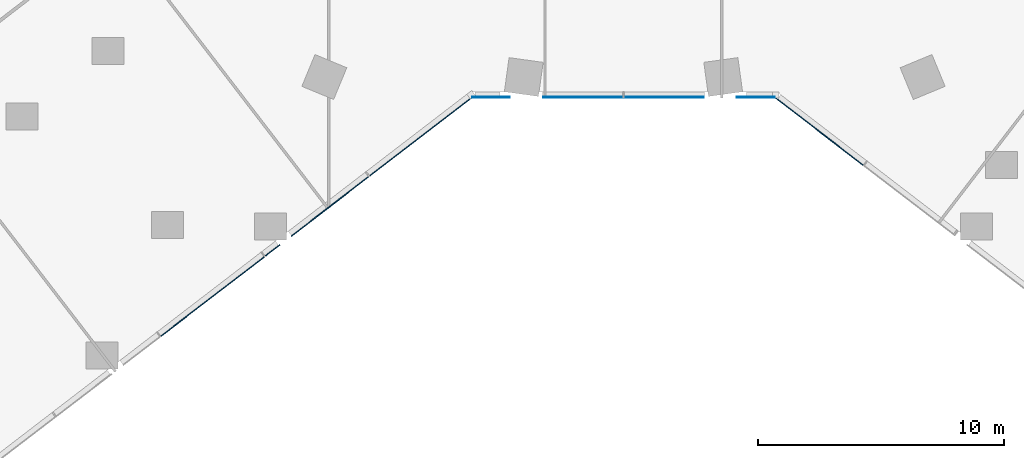
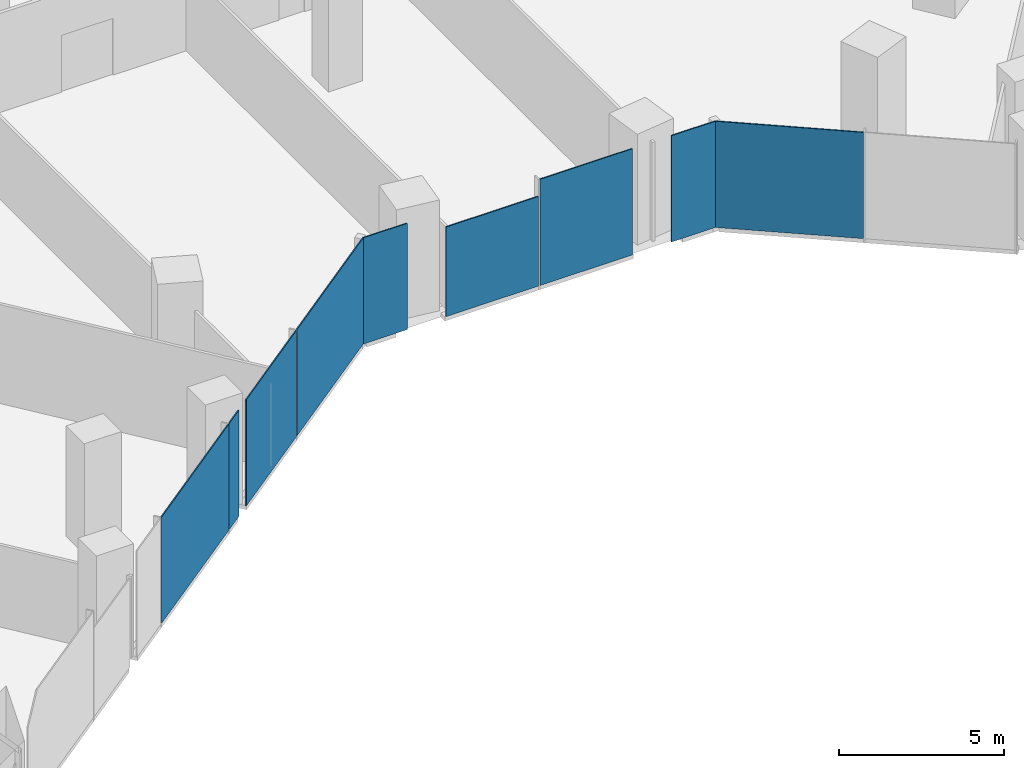
# One storey, part 15 of 29: 9 plates, 3 elements without a shape of their own.
"""IFC4 building model written with IfcOpenShell, lengths in metres."""

import ifcopenshell
import ifcopenshell.guid

model = None  # the IFC model being written
_history = None  # IfcOwnerHistory: only IFC2X3 demands one
_inside = {}  # id of a spatial element -> (the spatial element, [elements in it])
_under = {}  # id of a project, library or spatial element -> (it, [spatial elements below it])
_declared = {}  # id of a project -> (the project, [libraries it declares])
_typed = {}  # id of a type object -> (the type object, [elements of that type])
_made_of = {}  # id of a material, layer set ... -> (it, [elements and type objects made of it])


def new_model(schema):
    """Start an empty IFC model of exactly this schema.

    Asked for "IFC4X3", IfcOpenShell would pick the latest addendum, in which some entities
    have other attributes; the version numbers below select the first issue.
    IFC2X3 requires an IfcOwnerHistory on every rooted entity: one is made here for all.
    """
    global model, _history
    if schema == "IFC4X3":
        model = ifcopenshell.file(schema_version=(4, 3, 0, 0))
    else:
        model = ifcopenshell.file(schema=schema)
    _inside.clear()
    _under.clear()
    _declared.clear()
    _typed.clear()
    _made_of.clear()
    _history = None
    if model.schema == "IFC2X3":
        org = make("IfcOrganization", Name="unknown")
        user = make(
            "IfcPersonAndOrganization",
            ThePerson=make("IfcPerson", FamilyName="unknown"),
            TheOrganization=org,
        )
        app = make(
            "IfcApplication",
            ApplicationDeveloper=org,
            Version="unknown",
            ApplicationFullName="unknown",
            ApplicationIdentifier="unknown",
        )
        _history = make(
            "IfcOwnerHistory",
            OwningUser=user,
            OwningApplication=app,
            ChangeAction="ADDED",
            CreationDate=0,
        )
    return model


def make(cls, **values):
    """One entity of the class cls with the attributes given. An attribute that is None is left unset."""
    return model.create_entity(
        cls, **{name: value for name, value in values.items() if value is not None}
    )


def rooted(cls, **values):
    """An entity with a GlobalId (a new one), such as an element, a storey or a relation."""
    return make(cls, GlobalId=ifcopenshell.guid.new(), OwnerHistory=_history, **values)


def si_unit(unit_type, name, prefix=None):
    """IfcSIUnit, for example si_unit("LENGTHUNIT", "METRE", prefix="MILLI")."""
    return make("IfcSIUnit", UnitType=unit_type, Prefix=prefix, Name=name)


def assignment(units):
    """IfcUnitAssignment: the units of a project."""
    return None if units is None else make("IfcUnitAssignment", Units=units)


def point(xyz):
    """IfcCartesianPoint."""
    return None if xyz is None else make("IfcCartesianPoint", Coordinates=xyz)


def direction(xyz):
    """IfcDirection."""
    return None if xyz is None else make("IfcDirection", DirectionRatios=xyz)


def frame(location, z_axis=None, x_axis=None):
    """IfcAxis2Placement3D, a coordinate frame: its origin and axes. An axis left out is left unset."""
    return make(
        "IfcAxis2Placement3D",
        Location=point(location),
        Axis=direction(z_axis),
        RefDirection=direction(x_axis),
    )


def frame_2d(location, x_axis=None):
    """IfcAxis2Placement2D, a coordinate frame in the plane: its origin and x axis."""
    return make(
        "IfcAxis2Placement2D", Location=point(location), RefDirection=direction(x_axis)
    )


def origin():
    """The frame at (0, 0, 0) with its axes left unset."""
    return frame((0.0, 0.0, 0.0))


def origin_2d():
    """The frame at (0, 0) in the plane with its x axis left unset."""
    return frame_2d((0.0, 0.0))


def place(relative_to, where):
    """IfcLocalPlacement: puts the frame where relative to a parent placement (None: the world)."""
    return make(
        "IfcLocalPlacement", PlacementRelTo=relative_to, RelativePlacement=where
    )


def context(
    kind, dimensions, precision=None, world=None, true_north=None, identifier=None
):
    """IfcGeometricRepresentationContext, for example the 3D "Model" context."""
    return make(
        "IfcGeometricRepresentationContext",
        ContextIdentifier=identifier,
        ContextType=kind,
        CoordinateSpaceDimension=dimensions,
        Precision=precision,
        WorldCoordinateSystem=world,
        TrueNorth=true_north,
    )


def subcontext(parent, identifier, kind, view, scale=None):
    """IfcGeometricRepresentationSubContext, for example "Body" below "Model"."""
    return make(
        "IfcGeometricRepresentationSubContext",
        ContextIdentifier=identifier,
        ContextType=kind,
        ParentContext=parent,
        TargetScale=scale,
        TargetView=view,
    )


def project(units=None, contexts=None):
    """IfcProject with its units and contexts."""
    return rooted(
        "IfcProject",
        Name="project",
        RepresentationContexts=contexts,
        UnitsInContext=assignment(units),
    )


def spatial(cls, under=None, at=None, **own):
    """A site, building, storey or space (cls), placed at a placement, below another one or the project."""
    s = rooted(cls, ObjectPlacement=at, **own)
    if under is not None:
        _under.setdefault(under.id(), (under, []))[1].append(s)
    return s


def profile(cls, at=None, kind="AREA", **sizes):
    """A parametric profile (cls). Its sizes go by their IFC names, for example OverallWidth=200.0."""
    return make(cls, ProfileType=kind, Position=at, **sizes)


def rectangle(**sizes):
    """IfcRectangleProfileDef."""
    return profile("IfcRectangleProfileDef", **sizes)


def extrude(swept, where, along, depth):
    """IfcExtrudedAreaSolid: the profile swept, set in the frame where, extruded along a direction by depth."""
    return make(
        "IfcExtrudedAreaSolid",
        SweptArea=swept,
        Position=where,
        ExtrudedDirection=direction(along),
        Depth=depth,
    )


def shape(context_of_items, identifier, shape_type, items):
    """IfcShapeRepresentation: the items that make up one representation, for example the "Body"."""
    return make(
        "IfcShapeRepresentation",
        ContextOfItems=context_of_items,
        RepresentationIdentifier=identifier,
        RepresentationType=shape_type,
        Items=items,
    )


def material(Name=None, Category=None):
    """IfcMaterial."""
    return make("IfcMaterial", Name=Name, Category=Category)


def layer(
    of_material, thickness, ventilated=None, Name=None, Category=None, Priority=None
):
    """IfcMaterialLayer: one layer of a wall or slab, of a material (None: an air gap)."""
    return make(
        "IfcMaterialLayer",
        Material=of_material,
        LayerThickness=thickness,
        IsVentilated=ventilated,
        Name=Name,
        Category=Category,
        Priority=Priority,
    )


def layer_set(layers, Name=None):
    """IfcMaterialLayerSet."""
    return make("IfcMaterialLayerSet", MaterialLayers=layers, LayerSetName=Name)


def made_of(thing, what):
    """Note that an element or type object is made of a material, layer set ...; save() writes the relation."""
    if what is not None:
        _made_of.setdefault(what.id(), (what, []))[1].append(thing)
    return thing


def type_object(cls, material=None, **own):
    """A type object (cls), such as IfcWallType, which elements share."""
    return made_of(rooted(cls, **own), material)


def element(
    cls,
    number,
    at=None,
    inside=None,
    cuts=None,
    type_object=None,
    material=None,
    context=None,
    identifier="Body",
    shape_type=None,
    held_by="IfcProductDefinitionShape",
    body=None,
    shapes=None,
    **own,
):
    """One element of the class cls, such as IfcWall. Its Tag is "e" and its number.

    at: its placement. inside: the storey or other place that contains it. cuts: it is an
    opening in that element (IfcRelVoidsElement). A single representation is given by context,
    identifier, shape_type and body (its items); several are given by shapes. held_by: the class
    of the entity that holds the representations. save() writes the other relations.
    """
    e = rooted(cls, Tag="e%d" % number, ObjectPlacement=at, **own)
    if body is not None:
        shapes = [shape(context, identifier, shape_type, body)]
    if shapes is not None:
        e.Representation = make(held_by, Representations=shapes)
    if inside is not None:
        _inside.setdefault(inside.id(), (inside, []))[1].append(e)
    if cuts is not None:
        rooted(
            "IfcRelVoidsElement", RelatingBuildingElement=cuts, RelatedOpeningElement=e
        )
    if type_object is not None:
        _typed.setdefault(type_object.id(), (type_object, []))[1].append(e)
    return made_of(e, material)


def aggregate(whole, parts):
    """IfcRelAggregates: a whole, such as a stair, and the parts it consists of."""
    return rooted("IfcRelAggregates", RelatingObject=whole, RelatedObjects=parts)


def save(model, path):
    """Write the relations noted so far, then the file.

    IfcRelAggregates (storeys below a building ...), IfcRelContainedInSpatialStructure (elements
    in a storey), IfcRelDefinesByType, IfcRelAssociatesMaterial and IfcRelDeclares: one each for
    every whole, place, type object, material and project.
    """
    for whole, parts in _under.values():
        aggregate(whole, parts)
    for where, things in _inside.values():
        rooted(
            "IfcRelContainedInSpatialStructure",
            RelatedElements=things,
            RelatingStructure=where,
        )
    for kind, things in _typed.values():
        rooted("IfcRelDefinesByType", RelatedObjects=things, RelatingType=kind)
    for what, things in _made_of.values():
        rooted("IfcRelAssociatesMaterial", RelatedObjects=things, RelatingMaterial=what)
    for by, libraries in _declared.values():
        rooted("IfcRelDeclares", RelatingContext=by, RelatedDefinitions=libraries)
    model.write(path)


model = new_model("IFC4")

# Units and contexts
model_context = context("Model", 3, precision=1e-05, world=origin(), true_north=direction((0.0, 1.0)))
body_context = subcontext(model_context, "Body", "Model", "MODEL_VIEW")
ifc_project = project(units=[si_unit("LENGTHUNIT", "METRE"), si_unit("AREAUNIT", "SQUARE_METRE"), si_unit("VOLUMEUNIT", "CUBIC_METRE"), si_unit("PLANEANGLEUNIT", "RADIAN"), si_unit("MASSUNIT", "GRAM", prefix="KILO")], contexts=[model_context])

# Site, building, storey
site_placement = place(None, origin())
site = spatial("IfcSite", under=ifc_project, at=site_placement, CompositionType="ELEMENT")
building_placement = place(site_placement, origin())
building = spatial("IfcBuilding", under=site, at=building_placement, Name="Orlundy Tower", CompositionType="ELEMENT")
storey_placement = place(building_placement, frame((0.0, 0.0, 29.199951171875)))
storey = spatial("IfcBuildingStorey", under=building, at=storey_placement, Name="L05", CompositionType="ELEMENT", Elevation=29.199951171875)

# Curtain wall, plate
ifc_material_1 = material(Name="Aluminium bronze anodised", Category="aluminium")
curtain_wall_type = type_object("IfcCurtainWallType", Name="CW2 wall", PredefinedType="NOTDEFINED", material=ifc_material_1)
curtain_wall_1_placement = place(storey_placement, origin())
curtain_wall_1 = element("IfcCurtainWall", 1, at=curtain_wall_1_placement, inside=storey, type_object=curtain_wall_type, Name="CW2 run 00", PredefinedType="NOTDEFINED")
ifc_material_2 = material(Name="Tinted glass", Category="glass")
ifc_layer = layer(ifc_material_2, 0.0380859375)
ifc_layer_set = layer_set([ifc_layer], Name="CW2 glass panel 38")
plate_type = type_object("IfcPlateType", Name="CW2 glass panel 38", PredefinedType="CURTAIN_PANEL", material=ifc_layer_set)
plate_1_placement = place(storey_placement, frame((7.96044921875, -31.609130859375, -0.25), z_axis=(0.0, 0.0, 1.0), x_axis=(-0.793356622022, 0.60875715215, 0.0)))
plate_1 = element("IfcPlate", 2, at=plate_1_placement, type_object=plate_type, Name="CW2 panel", PredefinedType="CURTAIN_PANEL", context=body_context, shape_type="SweptSolid", body=[
    extrude(rectangle(XDim=4.52734375, YDim=0.0380859375, at=origin_2d()), origin(), (0.0, 0.0, 1.0), 3.929931640625),
])
aggregate(curtain_wall_1, [plate_1])

# Curtain wall, plates
curtain_wall_2_placement = place(storey_placement, origin())
curtain_wall_2 = element("IfcCurtainWall", 3, at=curtain_wall_2_placement, inside=storey, type_object=curtain_wall_type, Name="CW2 run 01", PredefinedType="NOTDEFINED")
plate_2_placement = place(storey_placement, frame((5.392578125, -30.23095703125, -0.25), z_axis=(0.0, 0.0, 1.0), x_axis=(-1.0, 0.0, 0.0)))
plate_2 = element("IfcPlate", 4, at=plate_2_placement, type_object=plate_type, Name="CW2 panel", PredefinedType="CURTAIN_PANEL", context=body_context, shape_type="SweptSolid", body=[
    extrude(rectangle(XDim=1.5439453125, YDim=0.0380859375, at=origin_2d()), origin(), (0.0, 0.0, 1.0), 3.929931640625),
])
plate_3_placement = place(storey_placement, frame((1.64501953125, -30.23095703125, -0.25), z_axis=(0.0, 0.0, 1.0), x_axis=(-1.0, 0.0, 0.0)))
plate_3 = element("IfcPlate", 5, at=plate_3_placement, type_object=plate_type, Name="CW2 panel", PredefinedType="CURTAIN_PANEL", context=body_context, shape_type="SweptSolid", body=[
    extrude(rectangle(XDim=3.240234375, YDim=0.0380859375, at=origin_2d()), origin(), (0.0, 0.0, 1.0), 3.929931640625),
])
plate_4_placement = place(storey_placement, frame((-1.64501953125, -30.23095703125, -0.25), z_axis=(0.0, 0.0, 1.0), x_axis=(-1.0, 0.0, 0.0)))
plate_4 = element("IfcPlate", 6, at=plate_4_placement, type_object=plate_type, Name="CW2 panel", PredefinedType="CURTAIN_PANEL", context=body_context, shape_type="SweptSolid", body=[
    extrude(rectangle(XDim=3.240234375, YDim=0.0380859375, at=origin_2d()), origin(), (0.0, 0.0, 1.0), 3.31396484375),
])
plate_5_placement = place(storey_placement, frame((-5.392578125, -30.23095703125, -0.25), z_axis=(0.0, 0.0, 1.0), x_axis=(-1.0, 0.0, 0.0)))
plate_5 = element("IfcPlate", 7, at=plate_5_placement, type_object=plate_type, Name="CW2 panel", PredefinedType="CURTAIN_PANEL", context=body_context, shape_type="SweptSolid", body=[
    extrude(rectangle(XDim=1.5439453125, YDim=0.0380859375, at=origin_2d()), origin(), (0.0, 0.0, 1.0), 3.929931640625),
])
aggregate(curtain_wall_2, [plate_2, plate_3, plate_4, plate_5])

curtain_wall_3_placement = place(storey_placement, origin())
curtain_wall_3 = element("IfcCurtainWall", 8, at=curtain_wall_3_placement, inside=storey, type_object=curtain_wall_type, Name="CW2 run 02", PredefinedType="NOTDEFINED")
plate_6_placement = place(storey_placement, frame((-8.24853515625, -31.830078125, -0.25), z_axis=(0.0, 0.0, 1.0), x_axis=(-0.793352099111, -0.608763046543, 0.0)))
plate_6 = element("IfcPlate", 9, at=plate_6_placement, type_object=plate_type, Name="CW2 panel", PredefinedType="CURTAIN_PANEL", context=body_context, shape_type="SweptSolid", body=[
    extrude(rectangle(XDim=5.25341796875, YDim=0.0380859375, at=origin_2d()), origin(), (0.0, 0.0, 1.0), 3.929931640625),
])
plate_7_placement = place(storey_placement, frame((-11.946533203125, -34.667724609375, -0.25), z_axis=(0.0, 0.0, 1.0), x_axis=(-0.793352099111, -0.608763046543, 0.0)))
plate_7 = element("IfcPlate", 10, at=plate_7_placement, type_object=plate_type, Name="CW2 panel", PredefinedType="CURTAIN_PANEL", context=body_context, shape_type="SweptSolid", body=[
    extrude(rectangle(XDim=3.96923828125, YDim=0.0380859375, at=origin_2d()), origin(), (0.0, 0.0, 1.0), 3.929931640625),
])
plate_8_placement = place(storey_placement, frame((-14.282470703125, -36.4599609375, -0.25), z_axis=(0.0, 0.0, 1.0), x_axis=(-0.793352099111, -0.608763046543, 0.0)))
plate_8 = element("IfcPlate", 11, at=plate_8_placement, type_object=plate_type, Name="CW2 panel", PredefinedType="CURTAIN_PANEL", context=body_context, shape_type="SweptSolid", body=[
    extrude(rectangle(XDim=0.755615234375, YDim=0.0380859375, at=origin_2d()), origin(), (0.0, 0.0, 1.0), 3.929931640625),
])
plate_9_placement = place(storey_placement, frame((-16.726806640625, -38.335693359375, -0.25), z_axis=(0.0, 0.0, 1.0), x_axis=(-0.793352099111, -0.608763046543, 0.0)))
plate_9 = element("IfcPlate", 12, at=plate_9_placement, type_object=plate_type, Name="CW2 panel", PredefinedType="CURTAIN_PANEL", context=body_context, shape_type="SweptSolid", body=[
    extrude(rectangle(XDim=5.306884765625, YDim=0.0380859375, at=origin_2d()), origin(), (0.0, 0.0, 1.0), 3.929931640625),
])
aggregate(curtain_wall_3, [plate_6, plate_7, plate_8, plate_9])

save(model, "model.ifc")
